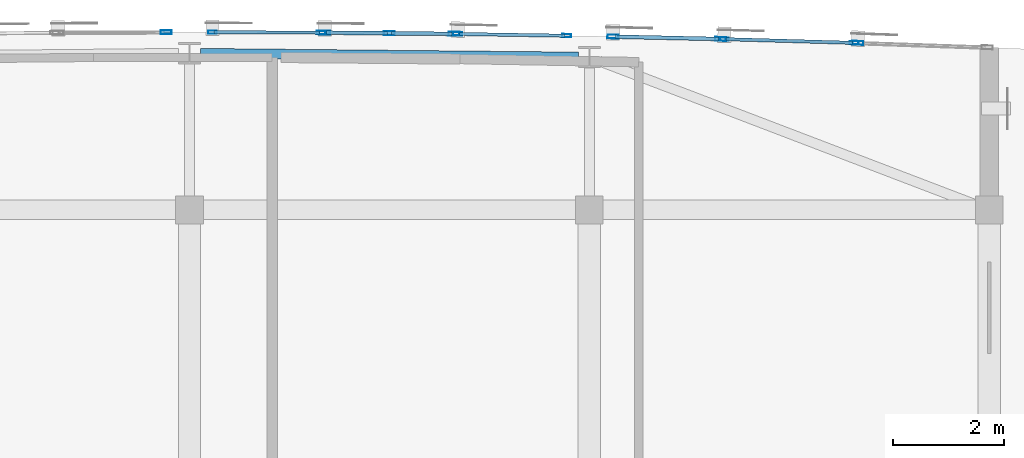
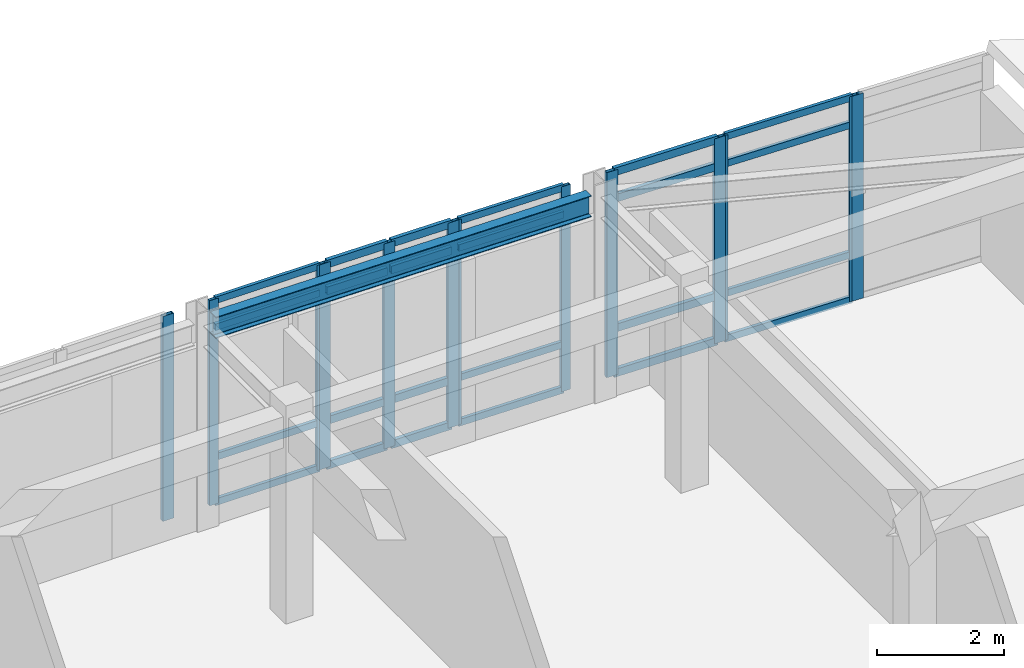
# One storey, part 14 of 24: 37 members, 1 beam, 7 elements without a shape of their own.
"""IFC4 building model written with IfcOpenShell, lengths in metres."""

from ifc_helpers import new_model, si_unit, direction, frame, origin, origin_2d, place, context, subcontext, project, spatial, hollow_rectangle, i_section, extrude, material, layer, layer_set, material_profile, profile_set, type_object, element, aggregate, save


model = new_model("IFC4")

# Units and contexts
model_context = context("Model", 3, precision=1e-05, world=origin(), true_north=direction((0.0, 1.0)))
body_context = subcontext(model_context, "Body", "Model", "MODEL_VIEW")
ifc_project = project(units=[si_unit("LENGTHUNIT", "METRE"), si_unit("AREAUNIT", "SQUARE_METRE"), si_unit("VOLUMEUNIT", "CUBIC_METRE"), si_unit("PLANEANGLEUNIT", "RADIAN"), si_unit("MASSUNIT", "GRAM", prefix="KILO")], contexts=[model_context])

# Site, building, storey
site_placement = place(None, origin())
site = spatial("IfcSite", under=ifc_project, at=site_placement, CompositionType="ELEMENT")
building_placement = place(site_placement, origin())
building = spatial("IfcBuilding", under=site, at=building_placement, Name="Carrowvane Square Congress Hotel", CompositionType="ELEMENT")
storey_placement = place(building_placement, frame((0.0, 0.0, 44.39990234375)))
storey = spatial("IfcBuildingStorey", under=building, at=storey_placement, Name="L11", CompositionType="ELEMENT", Elevation=44.39990234375)

# Beam
ifc_material_1 = material(Name="Steel S355", Category="steel")
ifc_material_profile_1 = material_profile(ifc_material_1, i_section(OverallWidth=0.1787109375, OverallDepth=0.409423828125, WebThickness=0.0087890625, FlangeThickness=0.014404296875, FilletRadius=0.01025390625, at=origin_2d()), Name="UKB 406x178x67")
ifc_profile_set_1 = profile_set([ifc_material_profile_1], Name="Steel S355")
beam_type = type_object("IfcBeamType", Name="BM-ST-UKB406", PredefinedType="BEAM", material=ifc_profile_set_1)
beam_placement = place(storey_placement, frame((98.197509765625, 116.218017578125, 3.745361328125), z_axis=(0.99995239219, -0.009757733037, 0.0), x_axis=(0.009757733037, 0.99995239219, 0.0)))
element("IfcBeam", 1, at=beam_placement, inside=storey, type_object=beam_type, Name="RF curved north spandrel", PredefinedType="BEAM", context=body_context, shape_type="SweptSolid", body=[
    extrude(i_section(OverallWidth=0.1787109375, OverallDepth=0.409423828125, WebThickness=0.0087890625, FlangeThickness=0.014404296875, FilletRadius=0.01025390625, at=origin_2d()), origin(), (0.0, 0.0, 1.0), 6.805419921875),
])

# Curtain wall, members
ifc_material_2 = material(Name="Anodised aluminium", Category="aluminium")
ifc_layer_1 = layer(ifc_material_2, 0.23388671875)
ifc_layer_set_1 = layer_set([ifc_layer_1], Name="Anodised aluminium")
curtain_wall_type_1 = type_object("IfcCurtainWallType", Name="CW-SYS-7", PredefinedType="NOTDEFINED", material=ifc_layer_set_1)
curtain_wall_1_placement = place(storey_placement, origin())
curtain_wall_1 = element("IfcCurtainWall", 2, at=curtain_wall_1_placement, inside=storey, type_object=curtain_wall_type_1, Name="L11 unitised curtain wall 606", PredefinedType="NOTDEFINED")
ifc_material_3 = material(Name="Anodised aluminium", Category="aluminium")
ifc_material_profile_2 = material_profile(ifc_material_3, hollow_rectangle(XDim=0.06005859375, YDim=0.159912109375, WallThickness=0.00390625, at=origin_2d()), Name="CW-ML 60x160x4")
ifc_profile_set_2 = profile_set([ifc_material_profile_2], Name="Anodised aluminium")
member_type_1 = type_object("IfcMemberType", Name="CW-MUL-1", PredefinedType="MULLION", material=ifc_profile_set_2)
member_1_placement = place(storey_placement, frame((98.414794921875, 116.5986328125, 0.0), z_axis=(0.0, 0.0, 1.0), x_axis=(0.003270307911, 0.999994652529, 0.0)))
member_1 = element("IfcMember", 3, at=member_1_placement, type_object=member_type_1, Name="CW-7 mullion 1", PredefinedType="MULLION", context=body_context, shape_type="SweptSolid", body=[
    extrude(hollow_rectangle(XDim=0.06005859375, YDim=0.159912109375, WallThickness=0.00390625, at=origin_2d()), origin(), (0.0, 0.0, 1.0), 3.9501953125),
])
member_2_placement = place(storey_placement, frame((100.369873046875, 116.59228515625, 0.0), z_axis=(0.0, 0.0, 1.0), x_axis=(0.003270307911, 0.999994652529, 0.0)))
member_2 = element("IfcMember", 4, at=member_2_placement, type_object=member_type_1, Name="CW-7 mullion 2", PredefinedType="MULLION", context=body_context, shape_type="SweptSolid", body=[
    extrude(hollow_rectangle(XDim=0.06005859375, YDim=0.159912109375, WallThickness=0.00390625, at=origin_2d()), origin(), (0.0, 0.0, 1.0), 3.9501953125),
])

ifc_material_4 = material(Name="Anodised aluminium", Category="aluminium")
ifc_layer_2 = layer(ifc_material_4, 0.162109375)
ifc_layer_set_2 = layer_set([ifc_layer_2], Name="Anodised aluminium")
curtain_wall_type_2 = type_object("IfcCurtainWallType", Name="CW-SYS-1", PredefinedType="NOTDEFINED", material=ifc_layer_set_2)
curtain_wall_2_placement = place(storey_placement, origin())
curtain_wall_2 = element("IfcCurtainWall", 5, at=curtain_wall_2_placement, inside=storey, type_object=curtain_wall_type_2, Name="L11 unitised curtain wall 608", PredefinedType="NOTDEFINED")
member_3_placement = place(storey_placement, frame((102.830078125, 116.568115234375, 0.0), z_axis=(0.0, 0.0, 1.0), x_axis=(0.016215981364, 0.99986851233, 0.0)))
member_3 = element("IfcMember", 6, at=member_3_placement, type_object=member_type_1, Name="CW-1 mullion 1", PredefinedType="MULLION", context=body_context, shape_type="SweptSolid", body=[
    extrude(hollow_rectangle(XDim=0.06005859375, YDim=0.159912109375, WallThickness=0.00390625, at=origin_2d()), origin(), (0.0, 0.0, 1.0), 3.9501953125),
])
member_4_placement = place(storey_placement, frame((104.79248046875, 116.536376953125, 0.0), z_axis=(0.0, 0.0, 1.0), x_axis=(0.016215981364, 0.99986851233, 0.0)))
member_4 = element("IfcMember", 7, at=member_4_placement, type_object=member_type_1, Name="CW-1 mullion 2", PredefinedType="MULLION", context=body_context, shape_type="SweptSolid", body=[
    extrude(hollow_rectangle(XDim=0.06005859375, YDim=0.159912109375, WallThickness=0.00390625, at=origin_2d()), origin(), (0.0, 0.0, 1.0), 3.9501953125),
])

ifc_material_5 = material(Name="Anodised aluminium", Category="aluminium")
ifc_layer_3 = layer(ifc_material_5, 0.18603515625)
ifc_layer_set_3 = layer_set([ifc_layer_3], Name="Anodised aluminium")
curtain_wall_type_3 = type_object("IfcCurtainWallType", Name="CW-SYS-3", PredefinedType="NOTDEFINED", material=ifc_layer_set_3)
curtain_wall_3_placement = place(storey_placement, origin())
curtain_wall_3 = element("IfcCurtainWall", 8, at=curtain_wall_3_placement, inside=storey, type_object=curtain_wall_type_3, Name="L11 unitised curtain wall 610", PredefinedType="NOTDEFINED")
member_5_placement = place(storey_placement, frame((107.6298828125, 116.474853515625, 0.0), z_axis=(0.0, 0.0, 1.0), x_axis=(0.028638010501, 0.999589848065, 0.0)))
member_5 = element("IfcMember", 9, at=member_5_placement, type_object=member_type_1, Name="CW-3 mullion 1", PredefinedType="MULLION", context=body_context, shape_type="SweptSolid", body=[
    extrude(hollow_rectangle(XDim=0.06005859375, YDim=0.159912109375, WallThickness=0.00390625, at=origin_2d()), origin(), (0.0, 0.0, 1.0), 3.9501953125),
])
member_6_placement = place(storey_placement, frame((109.969970703125, 116.40771484375, 0.0), z_axis=(0.0, 0.0, 1.0), x_axis=(0.028638010501, 0.999589848065, 0.0)))
member_6 = element("IfcMember", 10, at=member_6_placement, type_object=member_type_1, Name="CW-3 mullion 2", PredefinedType="MULLION", context=body_context, shape_type="SweptSolid", body=[
    extrude(hollow_rectangle(XDim=0.06005859375, YDim=0.159912109375, WallThickness=0.00390625, at=origin_2d()), origin(), (0.0, 0.0, 1.0), 3.9501953125),
])

# Curtain wall, member
ifc_material_6 = material(Name="Anodised aluminium", Category="aluminium")
ifc_layer_4 = layer(ifc_material_6, 0.221923828125)
ifc_layer_set_4 = layer_set([ifc_layer_4], Name="Anodised aluminium")
curtain_wall_type_4 = type_object("IfcCurtainWallType", Name="CW-SYS-6", PredefinedType="NOTDEFINED", material=ifc_layer_set_4)
curtain_wall_4_placement = place(storey_placement, origin())
curtain_wall_4 = element("IfcCurtainWall", 11, at=curtain_wall_4_placement, inside=storey, type_object=curtain_wall_type_4, Name="L11 unitised curtain wall 605", PredefinedType="NOTDEFINED")
ifc_material_7 = material(Name="Anodised aluminium", Category="aluminium")
ifc_material_profile_3 = material_profile(ifc_material_7, hollow_rectangle(XDim=0.070068359375, YDim=0.199951171875, WallThickness=0.0048828125, at=origin_2d()), Name="CW-ML 70x200x5")
ifc_profile_set_3 = profile_set([ifc_material_profile_3], Name="Anodised aluminium")
member_type_2 = type_object("IfcMemberType", Name="CW-MUL-2", PredefinedType="MULLION", material=ifc_profile_set_3)
member_7_placement = place(storey_placement, frame((97.580078125, 116.5986328125, 0.0), z_axis=(0.0, 0.0, 1.0), x_axis=(-0.003270307911, 0.999994652529, 0.0)))
member_7 = element("IfcMember", 12, at=member_7_placement, type_object=member_type_2, Name="CW-6 mullion 2", PredefinedType="MULLION", context=body_context, shape_type="SweptSolid", body=[
    extrude(hollow_rectangle(XDim=0.070068359375, YDim=0.199951171875, WallThickness=0.0048828125, at=origin_2d()), origin(), (0.0, 0.0, 1.0), 3.9501953125),
])
aggregate(curtain_wall_4, [member_7])

# Curtain wall, members
ifc_material_8 = material(Name="Anodised aluminium", Category="aluminium")
ifc_layer_5 = layer(ifc_material_8, 0.24609375)
ifc_layer_set_5 = layer_set([ifc_layer_5], Name="Anodised aluminium")
curtain_wall_type_5 = type_object("IfcCurtainWallType", Name="CW-SYS-8", PredefinedType="NOTDEFINED", material=ifc_layer_set_5)
curtain_wall_5_placement = place(storey_placement, origin())
curtain_wall_5 = element("IfcCurtainWall", 13, at=curtain_wall_5_placement, inside=storey, type_object=curtain_wall_type_5, Name="L11 unitised curtain wall 607", PredefinedType="NOTDEFINED")
member_8_placement = place(storey_placement, frame((100.43505859375, 116.591796875, 0.0), z_axis=(0.0, 0.0, 1.0), x_axis=(0.009782905924, 0.999952146231, 0.0)))
member_8 = element("IfcMember", 14, at=member_8_placement, type_object=member_type_2, Name="CW-8 mullion 1", PredefinedType="MULLION", context=body_context, shape_type="SweptSolid", body=[
    extrude(hollow_rectangle(XDim=0.070068359375, YDim=0.199951171875, WallThickness=0.0048828125, at=origin_2d()), origin(), (0.0, 0.0, 1.0), 3.9501953125),
])
member_9_placement = place(storey_placement, frame((101.60009765625, 116.580322265625, 0.0), z_axis=(0.0, 0.0, 1.0), x_axis=(0.009782905924, 0.999952146231, 0.0)))
member_9 = element("IfcMember", 15, at=member_9_placement, type_object=member_type_2, Name="CW-8 mullion 2", PredefinedType="MULLION", context=body_context, shape_type="SweptSolid", body=[
    extrude(hollow_rectangle(XDim=0.070068359375, YDim=0.199951171875, WallThickness=0.0048828125, at=origin_2d()), origin(), (0.0, 0.0, 1.0), 3.9501953125),
])
member_10_placement = place(storey_placement, frame((102.764892578125, 116.569091796875, 0.0), z_axis=(0.0, 0.0, 1.0), x_axis=(0.009782905924, 0.999952146231, 0.0)))
member_10 = element("IfcMember", 16, at=member_10_placement, type_object=member_type_2, Name="CW-8 mullion 3", PredefinedType="MULLION", context=body_context, shape_type="SweptSolid", body=[
    extrude(hollow_rectangle(XDim=0.070068359375, YDim=0.199951171875, WallThickness=0.0048828125, at=origin_2d()), origin(), (0.0, 0.0, 1.0), 3.9501953125),
])

ifc_material_9 = material(Name="Anodised aluminium", Category="aluminium")
ifc_layer_6 = layer(ifc_material_9, 0.174072265625)
ifc_layer_set_6 = layer_set([ifc_layer_6], Name="Anodised aluminium")
curtain_wall_type_6 = type_object("IfcCurtainWallType", Name="CW-SYS-2", PredefinedType="NOTDEFINED", material=ifc_layer_set_6)
curtain_wall_6_placement = place(storey_placement, origin())
curtain_wall_6 = element("IfcCurtainWall", 17, at=curtain_wall_6_placement, inside=storey, type_object=curtain_wall_type_6, Name="L11 unitised curtain wall 609", PredefinedType="NOTDEFINED")
member_11_placement = place(storey_placement, frame((105.627197265625, 116.52001953125, 0.0), z_axis=(0.0, 0.0, 1.0), x_axis=(0.022517686606, 0.99974644475, 0.0)))
member_11 = element("IfcMember", 18, at=member_11_placement, type_object=member_type_2, Name="CW-2 mullion 1", PredefinedType="MULLION", context=body_context, shape_type="SweptSolid", body=[
    extrude(hollow_rectangle(XDim=0.070068359375, YDim=0.199951171875, WallThickness=0.0048828125, at=origin_2d()), origin(), (0.0, 0.0, 1.0), 3.9501953125),
])
member_12_placement = place(storey_placement, frame((107.56494140625, 116.4765625, 0.0), z_axis=(0.0, 0.0, 1.0), x_axis=(0.022517686606, 0.99974644475, 0.0)))
member_12 = element("IfcMember", 19, at=member_12_placement, type_object=member_type_2, Name="CW-2 mullion 2", PredefinedType="MULLION", context=body_context, shape_type="SweptSolid", body=[
    extrude(hollow_rectangle(XDim=0.070068359375, YDim=0.199951171875, WallThickness=0.0048828125, at=origin_2d()), origin(), (0.0, 0.0, 1.0), 3.9501953125),
])

# Curtain wall, member
ifc_material_10 = material(Name="Anodised aluminium", Category="aluminium")
ifc_layer_7 = layer(ifc_material_10, 0.197998046875)
ifc_layer_set_7 = layer_set([ifc_layer_7], Name="Anodised aluminium")
curtain_wall_type_7 = type_object("IfcCurtainWallType", Name="CW-SYS-4", PredefinedType="NOTDEFINED", material=ifc_layer_set_7)
curtain_wall_7_placement = place(storey_placement, origin())
curtain_wall_7 = element("IfcCurtainWall", 20, at=curtain_wall_7_placement, inside=storey, type_object=curtain_wall_type_7, Name="L11 unitised curtain wall 611", PredefinedType="NOTDEFINED")
member_13_placement = place(storey_placement, frame((110.034912109375, 116.40576171875, 0.0), z_axis=(0.0, 0.0, 1.0), x_axis=(0.034525669067, 0.999403811367, 0.0)))
member_13 = element("IfcMember", 21, at=member_13_placement, type_object=member_type_2, Name="CW-4 mullion 1", PredefinedType="MULLION", context=body_context, shape_type="SweptSolid", body=[
    extrude(hollow_rectangle(XDim=0.070068359375, YDim=0.199951171875, WallThickness=0.0048828125, at=origin_2d()), origin(), (0.0, 0.0, 1.0), 3.9501953125),
])
aggregate(curtain_wall_7, [member_13])

# Member
ifc_material_11 = material(Name="Anodised aluminium", Category="aluminium")
ifc_material_profile_4 = material_profile(ifc_material_11, hollow_rectangle(XDim=0.06005859375, YDim=0.1298828125, WallThickness=0.00390625, at=origin_2d()), Name="CW-TR 60x130x4")
ifc_profile_set_4 = profile_set([ifc_material_profile_4], Name="Anodised aluminium")
member_type_3 = type_object("IfcMemberType", Name="CW-TRN-1", PredefinedType="USERDEFINED", material=ifc_profile_set_4)
member_14_placement = place(storey_placement, frame((98.44482421875, 116.5986328125, 0.030029296875), z_axis=(0.999994391408, -0.003349201878, 0.0), x_axis=(0.003349201878, 0.999994391408, 0.0)))
member_14 = element("IfcMember", 22, at=member_14_placement, type_object=member_type_3, Name="CW-7 transom 1.1", ObjectType="TRANSOM", PredefinedType="USERDEFINED", context=body_context, shape_type="SweptSolid", body=[
    extrude(hollow_rectangle(XDim=0.06005859375, YDim=0.1298828125, WallThickness=0.00390625, at=origin_2d()), origin(), (0.0, 0.0, 1.0), 1.895263671875),
])

member_15_placement = place(storey_placement, frame((98.44482421875, 116.5986328125, 0.900146484375), z_axis=(0.999994391408, -0.003349201878, 0.0), x_axis=(0.003349201878, 0.999994391408, 0.0)))
member_15 = element("IfcMember", 23, at=member_15_placement, type_object=member_type_3, Name="CW-7 transom 1.2", ObjectType="TRANSOM", PredefinedType="USERDEFINED", context=body_context, shape_type="SweptSolid", body=[
    extrude(hollow_rectangle(XDim=0.06005859375, YDim=0.1298828125, WallThickness=0.00390625, at=origin_2d()), origin(), (0.0, 0.0, 1.0), 1.895263671875),
])

member_16_placement = place(storey_placement, frame((98.44482421875, 116.5986328125, 3.400146484375), z_axis=(0.999994391408, -0.003349201878, 0.0), x_axis=(0.003349201878, 0.999994391408, 0.0)))
member_16 = element("IfcMember", 24, at=member_16_placement, type_object=member_type_3, Name="CW-7 transom 1.3", ObjectType="TRANSOM", PredefinedType="USERDEFINED", context=body_context, shape_type="SweptSolid", body=[
    extrude(hollow_rectangle(XDim=0.06005859375, YDim=0.1298828125, WallThickness=0.00390625, at=origin_2d()), origin(), (0.0, 0.0, 1.0), 1.895263671875),
])

member_17_placement = place(storey_placement, frame((98.44482421875, 116.5986328125, 3.920166015625), z_axis=(0.999994391408, -0.003349201878, 0.0), x_axis=(0.003349201878, 0.999994391408, 0.0)))
member_17 = element("IfcMember", 25, at=member_17_placement, type_object=member_type_3, Name="CW-7 transom 1.4", ObjectType="TRANSOM", PredefinedType="USERDEFINED", context=body_context, shape_type="SweptSolid", body=[
    extrude(hollow_rectangle(XDim=0.06005859375, YDim=0.1298828125, WallThickness=0.00390625, at=origin_2d()), origin(), (0.0, 0.0, 1.0), 1.895263671875),
])

aggregate(curtain_wall_1, [member_1, member_2, member_14, member_15, member_16, member_17])

member_18_placement = place(storey_placement, frame((102.860107421875, 116.567626953125, 0.030029296875), z_axis=(0.999869284212, -0.016168317481, 0.0), x_axis=(0.016168317481, 0.999869284212, 0.0)))
member_18 = element("IfcMember", 26, at=member_18_placement, type_object=member_type_3, Name="CW-1 transom 1.1", ObjectType="TRANSOM", PredefinedType="USERDEFINED", context=body_context, shape_type="SweptSolid", body=[
    extrude(hollow_rectangle(XDim=0.06005859375, YDim=0.1298828125, WallThickness=0.00390625, at=origin_2d()), origin(), (0.0, 0.0, 1.0), 1.902587890625),
])

member_19_placement = place(storey_placement, frame((102.860107421875, 116.567626953125, 0.900146484375), z_axis=(0.999869284212, -0.016168317481, 0.0), x_axis=(0.016168317481, 0.999869284212, 0.0)))
member_19 = element("IfcMember", 27, at=member_19_placement, type_object=member_type_3, Name="CW-1 transom 1.2", ObjectType="TRANSOM", PredefinedType="USERDEFINED", context=body_context, shape_type="SweptSolid", body=[
    extrude(hollow_rectangle(XDim=0.06005859375, YDim=0.1298828125, WallThickness=0.00390625, at=origin_2d()), origin(), (0.0, 0.0, 1.0), 1.902587890625),
])

member_20_placement = place(storey_placement, frame((102.860107421875, 116.567626953125, 3.400146484375), z_axis=(0.999869284212, -0.016168317481, 0.0), x_axis=(0.016168317481, 0.999869284212, 0.0)))
member_20 = element("IfcMember", 28, at=member_20_placement, type_object=member_type_3, Name="CW-1 transom 1.3", ObjectType="TRANSOM", PredefinedType="USERDEFINED", context=body_context, shape_type="SweptSolid", body=[
    extrude(hollow_rectangle(XDim=0.06005859375, YDim=0.1298828125, WallThickness=0.00390625, at=origin_2d()), origin(), (0.0, 0.0, 1.0), 1.902587890625),
])

member_21_placement = place(storey_placement, frame((102.860107421875, 116.567626953125, 3.920166015625), z_axis=(0.999869284212, -0.016168317481, 0.0), x_axis=(0.016168317481, 0.999869284212, 0.0)))
member_21 = element("IfcMember", 29, at=member_21_placement, type_object=member_type_3, Name="CW-1 transom 1.4", ObjectType="TRANSOM", PredefinedType="USERDEFINED", context=body_context, shape_type="SweptSolid", body=[
    extrude(hollow_rectangle(XDim=0.06005859375, YDim=0.1298828125, WallThickness=0.00390625, at=origin_2d()), origin(), (0.0, 0.0, 1.0), 1.902587890625),
])

aggregate(curtain_wall_2, [member_3, member_4, member_18, member_19, member_20, member_21])

member_22_placement = place(storey_placement, frame((107.659912109375, 116.473876953125, 0.030029296875), z_axis=(0.999591562471, -0.028578107632, 0.0), x_axis=(0.028578107632, 0.999591562471, 0.0)))
member_22 = element("IfcMember", 30, at=member_22_placement, type_object=member_type_3, Name="CW-3 transom 1.1", ObjectType="TRANSOM", PredefinedType="USERDEFINED", context=body_context, shape_type="SweptSolid", body=[
    extrude(hollow_rectangle(XDim=0.06005859375, YDim=0.1298828125, WallThickness=0.00390625, at=origin_2d()), origin(), (0.0, 0.0, 1.0), 2.281005859375),
])

member_23_placement = place(storey_placement, frame((107.659912109375, 116.473876953125, 0.900146484375), z_axis=(0.999591562471, -0.028578107632, 0.0), x_axis=(0.028578107632, 0.999591562471, 0.0)))
member_23 = element("IfcMember", 31, at=member_23_placement, type_object=member_type_3, Name="CW-3 transom 1.2", ObjectType="TRANSOM", PredefinedType="USERDEFINED", context=body_context, shape_type="SweptSolid", body=[
    extrude(hollow_rectangle(XDim=0.06005859375, YDim=0.1298828125, WallThickness=0.00390625, at=origin_2d()), origin(), (0.0, 0.0, 1.0), 2.281005859375),
])

member_24_placement = place(storey_placement, frame((107.659912109375, 116.473876953125, 3.400146484375), z_axis=(0.999591562471, -0.028578107632, 0.0), x_axis=(0.028578107632, 0.999591562471, 0.0)))
member_24 = element("IfcMember", 32, at=member_24_placement, type_object=member_type_3, Name="CW-3 transom 1.3", ObjectType="TRANSOM", PredefinedType="USERDEFINED", context=body_context, shape_type="SweptSolid", body=[
    extrude(hollow_rectangle(XDim=0.06005859375, YDim=0.1298828125, WallThickness=0.00390625, at=origin_2d()), origin(), (0.0, 0.0, 1.0), 2.281005859375),
])

member_25_placement = place(storey_placement, frame((107.659912109375, 116.473876953125, 3.920166015625), z_axis=(0.999591562471, -0.028578107632, 0.0), x_axis=(0.028578107632, 0.999591562471, 0.0)))
member_25 = element("IfcMember", 33, at=member_25_placement, type_object=member_type_3, Name="CW-3 transom 1.4", ObjectType="TRANSOM", PredefinedType="USERDEFINED", context=body_context, shape_type="SweptSolid", body=[
    extrude(hollow_rectangle(XDim=0.06005859375, YDim=0.1298828125, WallThickness=0.00390625, at=origin_2d()), origin(), (0.0, 0.0, 1.0), 2.281005859375),
])

aggregate(curtain_wall_3, [member_5, member_6, member_22, member_23, member_24, member_25])

ifc_material_12 = material(Name="Anodised aluminium", Category="aluminium")
ifc_material_profile_5 = material_profile(ifc_material_12, hollow_rectangle(XDim=0.070068359375, YDim=0.14990234375, WallThickness=0.0048828125, at=origin_2d()), Name="CW-TR 70x150x5")
ifc_profile_set_5 = profile_set([ifc_material_profile_5], Name="Anodised aluminium")
member_type_4 = type_object("IfcMemberType", Name="CW-TRN-2", PredefinedType="USERDEFINED", material=ifc_profile_set_5)
member_26_placement = place(storey_placement, frame((100.469970703125, 116.591552734375, 0.03515625), z_axis=(0.999951880721, -0.009810007302, 0.0), x_axis=(0.009810007302, 0.999951880721, 0.0)))
member_26 = element("IfcMember", 34, at=member_26_placement, type_object=member_type_4, Name="CW-8 transom 1.1", ObjectType="TRANSOM", PredefinedType="USERDEFINED", context=body_context, shape_type="SweptSolid", body=[
    extrude(hollow_rectangle(XDim=0.070068359375, YDim=0.14990234375, WallThickness=0.0048828125, at=origin_2d()), origin(), (0.0, 0.0, 1.0), 1.094970703125),
])

member_27_placement = place(storey_placement, frame((100.469970703125, 116.591552734375, 0.900146484375), z_axis=(0.999951880721, -0.009810007302, 0.0), x_axis=(0.009810007302, 0.999951880721, 0.0)))
member_27 = element("IfcMember", 35, at=member_27_placement, type_object=member_type_4, Name="CW-8 transom 1.2", ObjectType="TRANSOM", PredefinedType="USERDEFINED", context=body_context, shape_type="SweptSolid", body=[
    extrude(hollow_rectangle(XDim=0.070068359375, YDim=0.14990234375, WallThickness=0.0048828125, at=origin_2d()), origin(), (0.0, 0.0, 1.0), 1.094970703125),
])

member_28_placement = place(storey_placement, frame((100.469970703125, 116.591552734375, 3.400146484375), z_axis=(0.999951880721, -0.009810007302, 0.0), x_axis=(0.009810007302, 0.999951880721, 0.0)))
member_28 = element("IfcMember", 36, at=member_28_placement, type_object=member_type_4, Name="CW-8 transom 1.3", ObjectType="TRANSOM", PredefinedType="USERDEFINED", context=body_context, shape_type="SweptSolid", body=[
    extrude(hollow_rectangle(XDim=0.070068359375, YDim=0.14990234375, WallThickness=0.0048828125, at=origin_2d()), origin(), (0.0, 0.0, 1.0), 1.094970703125),
])

member_29_placement = place(storey_placement, frame((100.469970703125, 116.591552734375, 3.9150390625), z_axis=(0.999951880721, -0.009810007302, 0.0), x_axis=(0.009810007302, 0.999951880721, 0.0)))
member_29 = element("IfcMember", 37, at=member_29_placement, type_object=member_type_4, Name="CW-8 transom 1.4", ObjectType="TRANSOM", PredefinedType="USERDEFINED", context=body_context, shape_type="SweptSolid", body=[
    extrude(hollow_rectangle(XDim=0.070068359375, YDim=0.14990234375, WallThickness=0.0048828125, at=origin_2d()), origin(), (0.0, 0.0, 1.0), 1.094970703125),
])

member_30_placement = place(storey_placement, frame((101.635009765625, 116.580078125, 0.03515625), z_axis=(0.999951880721, -0.009810007302, 0.0), x_axis=(0.009810007302, 0.999951880721, 0.0)))
member_30 = element("IfcMember", 38, at=member_30_placement, type_object=member_type_4, Name="CW-8 transom 2.1", ObjectType="TRANSOM", PredefinedType="USERDEFINED", context=body_context, shape_type="SweptSolid", body=[
    extrude(hollow_rectangle(XDim=0.070068359375, YDim=0.14990234375, WallThickness=0.0048828125, at=origin_2d()), origin(), (0.0, 0.0, 1.0), 1.094970703125),
])

member_31_placement = place(storey_placement, frame((101.635009765625, 116.580078125, 0.900146484375), z_axis=(0.999951880721, -0.009810007302, 0.0), x_axis=(0.009810007302, 0.999951880721, 0.0)))
member_31 = element("IfcMember", 39, at=member_31_placement, type_object=member_type_4, Name="CW-8 transom 2.2", ObjectType="TRANSOM", PredefinedType="USERDEFINED", context=body_context, shape_type="SweptSolid", body=[
    extrude(hollow_rectangle(XDim=0.070068359375, YDim=0.14990234375, WallThickness=0.0048828125, at=origin_2d()), origin(), (0.0, 0.0, 1.0), 1.094970703125),
])

member_32_placement = place(storey_placement, frame((101.635009765625, 116.580078125, 3.400146484375), z_axis=(0.999951880721, -0.009810007302, 0.0), x_axis=(0.009810007302, 0.999951880721, 0.0)))
member_32 = element("IfcMember", 40, at=member_32_placement, type_object=member_type_4, Name="CW-8 transom 2.3", ObjectType="TRANSOM", PredefinedType="USERDEFINED", context=body_context, shape_type="SweptSolid", body=[
    extrude(hollow_rectangle(XDim=0.070068359375, YDim=0.14990234375, WallThickness=0.0048828125, at=origin_2d()), origin(), (0.0, 0.0, 1.0), 1.094970703125),
])

member_33_placement = place(storey_placement, frame((101.635009765625, 116.580078125, 3.9150390625), z_axis=(0.999951880721, -0.009810007302, 0.0), x_axis=(0.009810007302, 0.999951880721, 0.0)))
member_33 = element("IfcMember", 41, at=member_33_placement, type_object=member_type_4, Name="CW-8 transom 2.4", ObjectType="TRANSOM", PredefinedType="USERDEFINED", context=body_context, shape_type="SweptSolid", body=[
    extrude(hollow_rectangle(XDim=0.070068359375, YDim=0.14990234375, WallThickness=0.0048828125, at=origin_2d()), origin(), (0.0, 0.0, 1.0), 1.094970703125),
])

aggregate(curtain_wall_5, [member_8, member_9, member_10, member_26, member_27, member_28, member_29, member_30, member_31, member_32, member_33])

member_34_placement = place(storey_placement, frame((105.662353515625, 116.519287109375, 0.03515625), z_axis=(0.999747338303, -0.022477979371, 0.0), x_axis=(0.022477979371, 0.999747338303, 0.0)))
member_34 = element("IfcMember", 42, at=member_34_placement, type_object=member_type_4, Name="CW-2 transom 1.1", ObjectType="TRANSOM", PredefinedType="USERDEFINED", context=body_context, shape_type="SweptSolid", body=[
    extrude(hollow_rectangle(XDim=0.070068359375, YDim=0.14990234375, WallThickness=0.0048828125, at=origin_2d()), origin(), (0.0, 0.0, 1.0), 1.8681640625),
])

member_35_placement = place(storey_placement, frame((105.662353515625, 116.519287109375, 0.900146484375), z_axis=(0.999747338303, -0.022477979371, 0.0), x_axis=(0.022477979371, 0.999747338303, 0.0)))
member_35 = element("IfcMember", 43, at=member_35_placement, type_object=member_type_4, Name="CW-2 transom 1.2", ObjectType="TRANSOM", PredefinedType="USERDEFINED", context=body_context, shape_type="SweptSolid", body=[
    extrude(hollow_rectangle(XDim=0.070068359375, YDim=0.14990234375, WallThickness=0.0048828125, at=origin_2d()), origin(), (0.0, 0.0, 1.0), 1.8681640625),
])

member_36_placement = place(storey_placement, frame((105.662353515625, 116.519287109375, 3.400146484375), z_axis=(0.999747338303, -0.022477979371, 0.0), x_axis=(0.022477979371, 0.999747338303, 0.0)))
member_36 = element("IfcMember", 44, at=member_36_placement, type_object=member_type_4, Name="CW-2 transom 1.3", ObjectType="TRANSOM", PredefinedType="USERDEFINED", context=body_context, shape_type="SweptSolid", body=[
    extrude(hollow_rectangle(XDim=0.070068359375, YDim=0.14990234375, WallThickness=0.0048828125, at=origin_2d()), origin(), (0.0, 0.0, 1.0), 1.8681640625),
])

member_37_placement = place(storey_placement, frame((105.662353515625, 116.519287109375, 3.9150390625), z_axis=(0.999747338303, -0.022477979371, 0.0), x_axis=(0.022477979371, 0.999747338303, 0.0)))
member_37 = element("IfcMember", 45, at=member_37_placement, type_object=member_type_4, Name="CW-2 transom 1.4", ObjectType="TRANSOM", PredefinedType="USERDEFINED", context=body_context, shape_type="SweptSolid", body=[
    extrude(hollow_rectangle(XDim=0.070068359375, YDim=0.14990234375, WallThickness=0.0048828125, at=origin_2d()), origin(), (0.0, 0.0, 1.0), 1.8681640625),
])

aggregate(curtain_wall_6, [member_11, member_12, member_34, member_35, member_36, member_37])

save(model, "model.ifc")
